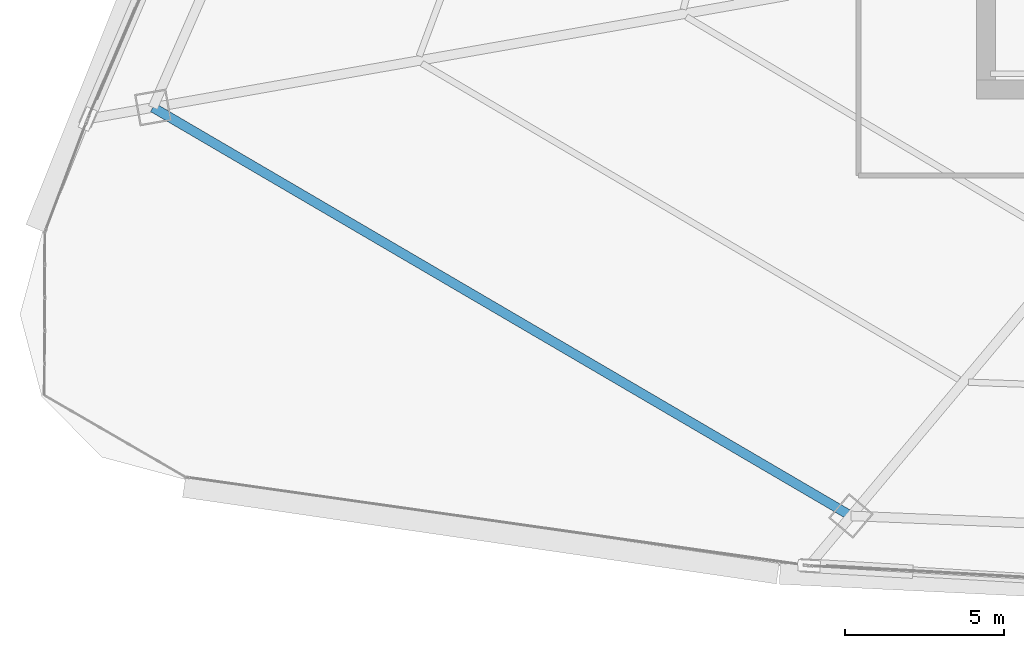
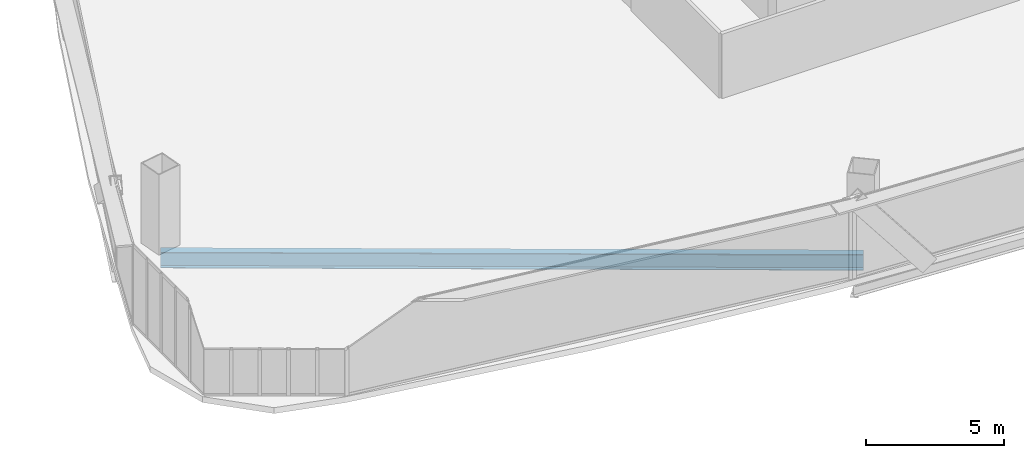
# One storey, part 5 of 39: 1 beam.
"""IFC4 building model written with IfcOpenShell, lengths in metres."""

from ifc_helpers import new_model, si_unit, direction, frame, origin, origin_2d, place, context, subcontext, project, spatial, i_section, extrude, source, transform, mapped, material, material_profile, profile_set, type_object, element, save


model = new_model("IFC4")

# Units and contexts
model_context = context("Model", 3, precision=1e-05, world=origin(), true_north=direction((0.0, 1.0)))
body_context = subcontext(model_context, "Body", "Model", "MODEL_VIEW")
ifc_project = project(units=[si_unit("LENGTHUNIT", "METRE"), si_unit("AREAUNIT", "SQUARE_METRE"), si_unit("VOLUMEUNIT", "CUBIC_METRE"), si_unit("PLANEANGLEUNIT", "RADIAN"), si_unit("MASSUNIT", "GRAM", prefix="KILO"), si_unit("THERMODYNAMICTEMPERATUREUNIT", "KELVIN"), si_unit("POWERUNIT", "WATT")], contexts=[model_context])

# Site, building, storey
site_placement = place(None, origin())
site = spatial("IfcSite", under=ifc_project, at=site_placement, CompositionType="ELEMENT")
building_placement = place(site_placement, origin())
building = spatial("IfcBuilding", under=site, at=building_placement, Name="Yunzhuo Pagoda Commons", CompositionType="ELEMENT")
storey_placement = place(building_placement, frame((0.0, 0.0, 92.580078125)))
storey = spatial("IfcBuildingStorey", under=building, at=storey_placement, Name="L23", CompositionType="ELEMENT", Elevation=92.580078125)

# Beam
ifc_material = material(Name="Structural steel Q355B", Category="steel")
ifc_material_profile = material_profile(ifc_material, i_section(OverallWidth=0.300048828125, OverallDepth=0.699951171875, WebThickness=0.012939453125, FlangeThickness=0.02392578125, at=origin_2d()), Name="Structural steel Q355B")
ifc_profile_set = profile_set([ifc_material_profile], Name="Structural steel Q355B")
beam_type = type_object("IfcBeamType", Name="B-RG1 Beam HN 700x300x13x24", PredefinedType="BEAM", material=ifc_profile_set)
shared_shape = source(origin(), body_context, "Body", "SweptSolid", [
    extrude(i_section(OverallWidth=0.300048828125, OverallDepth=0.699951171875, WebThickness=0.012939453125, FlangeThickness=0.02392578125, at=origin_2d()), origin(), (0.0, 0.0, 1.0), 25.3935546875),
])
beam_placement = place(storey_placement, frame((9.647216796875, 26.9375, -0.610107421875), z_axis=(0.863085207128, -0.505058338449, 0.0), x_axis=(0.505058338449, 0.863085207128, 0.0)))
element("IfcBeam", 1, at=beam_placement, inside=storey, type_object=beam_type, Name="L23 column-ring beam 12", PredefinedType="BEAM", context=body_context, shape_type="MappedRepresentation", body=[
    mapped(shared_shape, transform((0.0, 0.0, 0.0), scale=1.0)),
])

save(model, "model.ifc")
